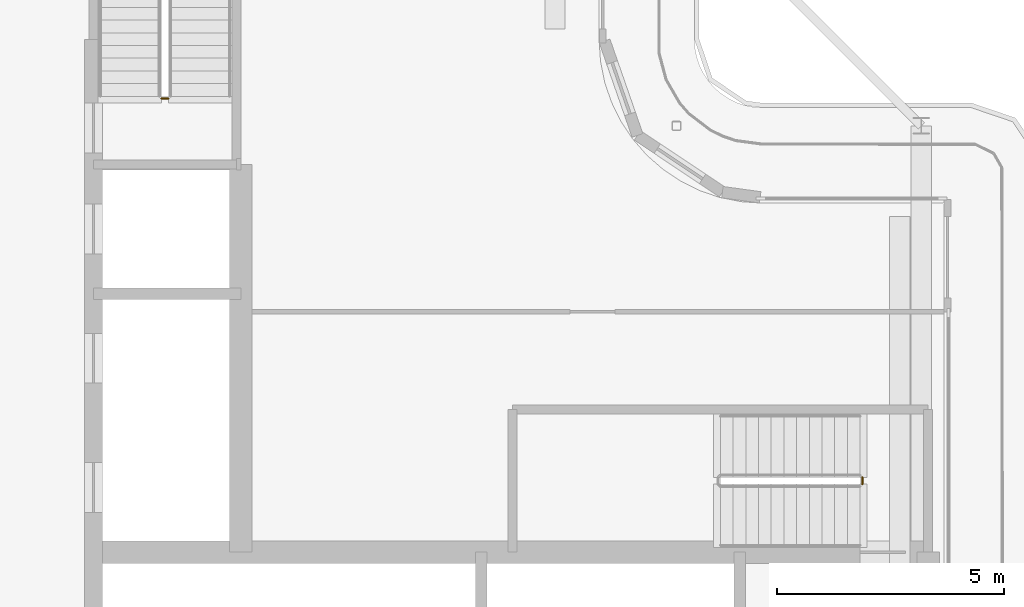
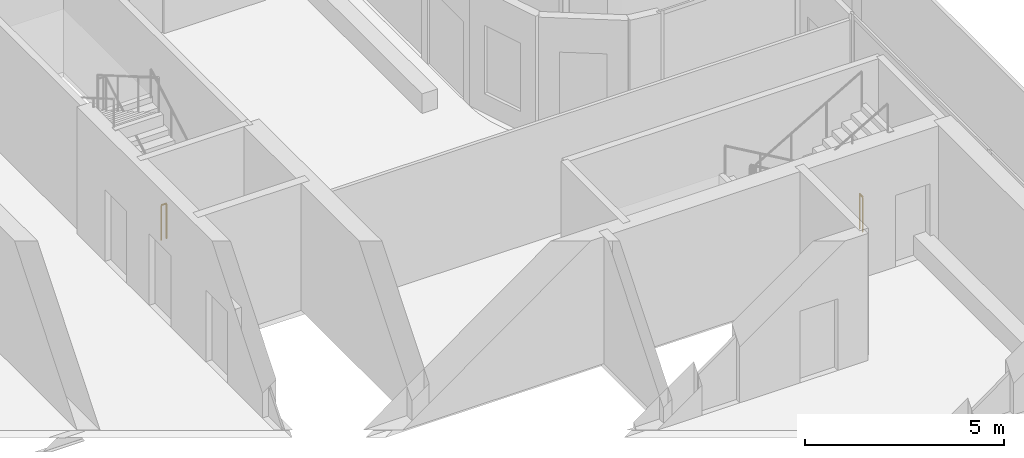
# One storey, part 14 of 18: 2 railings.
"""IFC4 building model written with IfcOpenShell, lengths in metres."""

from ifc_helpers import new_model, si_unit, direction, frame, origin, origin_2d, place, context, subcontext, project, spatial, circle, extrude, material, type_object, element, save


model = new_model("IFC4")

# Units and contexts
model_context = context("Model", 3, precision=1e-05, world=origin(), true_north=direction((0.0, 1.0)))
body_context = subcontext(model_context, "Body", "Model", "MODEL_VIEW")
ifc_project = project(units=[si_unit("LENGTHUNIT", "METRE"), si_unit("AREAUNIT", "SQUARE_METRE"), si_unit("VOLUMEUNIT", "CUBIC_METRE"), si_unit("PLANEANGLEUNIT", "RADIAN"), si_unit("MASSUNIT", "GRAM", prefix="KILO")], contexts=[model_context])

# Site, building, storey
site_placement = place(None, origin())
site = spatial("IfcSite", under=ifc_project, at=site_placement, CompositionType="ELEMENT")
building_placement = place(site_placement, origin())
building = spatial("IfcBuilding", under=site, at=building_placement, Name="Kheshtan School and Residences Tower", CompositionType="ELEMENT")
storey_placement = place(building_placement, frame((0.0, 0.0, 373.39990234375)))
storey = spatial("IfcBuildingStorey", under=building, at=storey_placement, Name="L88", CompositionType="ELEMENT", Elevation=373.39990234375)

# Railings
ifc_material = material(Name="Stainless steel balustrade", Category="steel")
railing_type = type_object("IfcRailingType", Name="Stair guard 1100", PredefinedType="GUARDRAIL", material=ifc_material)
railing_1_placement = place(storey_placement, frame((51.699951171875, 37.85009765625, 0.0)))
element("IfcRailing", 1, at=railing_1_placement, inside=storey, type_object=railing_type, Name="L88 ST1 stair guard 2", PredefinedType="GUARDRAIL", context=body_context, shape_type="SweptSolid", body=[
    extrude(circle(Radius=0.02392578125, at=origin_2d()), frame((0.0, 0.0, 1.076171875), z_axis=(0.0, -1.0, 0.0), x_axis=(1.0, 0.0, 0.0)), (0.0, 0.0, 1.0), 0.150146484375),
    extrude(circle(Radius=0.02099609375, at=origin_2d()), origin(), (0.0, 0.0, 1.0), 1.052001953125),
    extrude(circle(Radius=0.02099609375, at=origin_2d()), frame((0.0, -0.150146484375, 0.0)), (0.0, 0.0, 1.0), 1.052001953125),
])
railing_2_placement = place(storey_placement, frame((36.39990234375, 46.199951171875, 0.0)))
element("IfcRailing", 2, at=railing_2_placement, inside=storey, type_object=railing_type, Name="L88 ST2 stair guard 2", PredefinedType="GUARDRAIL", context=body_context, shape_type="SweptSolid", body=[
    extrude(circle(Radius=0.02392578125, at=origin_2d()), frame((0.0, 0.0, 1.076171875), z_axis=(-1.0, 0.0, 0.0), x_axis=(0.0, -1.0, 0.0)), (0.0, 0.0, 1.0), 0.14990234375),
    extrude(circle(Radius=0.02099609375, at=origin_2d()), origin(), (0.0, 0.0, 1.0), 1.052001953125),
    extrude(circle(Radius=0.02099609375, at=origin_2d()), frame((-0.14990234375, 0.0, 0.0)), (0.0, 0.0, 1.0), 1.052001953125),
])

save(model, "model.ifc")
